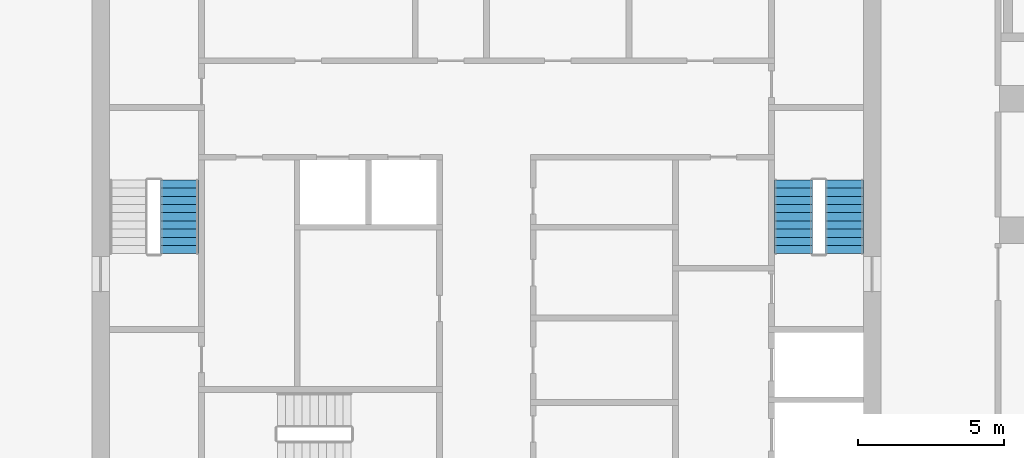
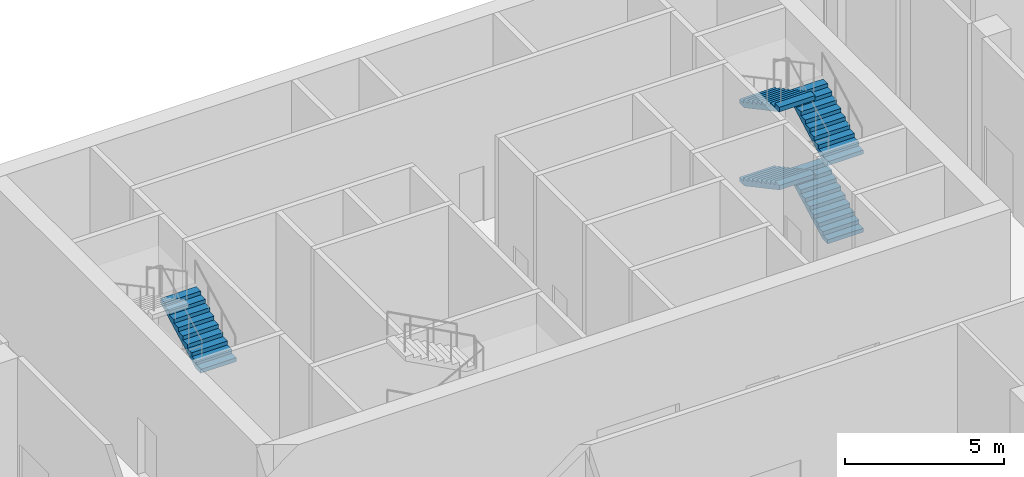
# One storey, part 10 of 13: 5 stair flights, 2 elements without a shape of their own.
"""IFC4 building model written with IfcOpenShell, lengths in metres."""

from ifc_helpers import new_model, si_unit, direction, frame, origin, place, context, subcontext, project, spatial, polyline, outline, extrude, material, type_object, element, aggregate, save


model = new_model("IFC4")

# Units and contexts
model_context = context("Model", 3, precision=1e-05, world=origin(), true_north=direction((0.0, 1.0)))
body_context = subcontext(model_context, "Body", "Model", "MODEL_VIEW")
ifc_project = project(units=[si_unit("LENGTHUNIT", "METRE"), si_unit("AREAUNIT", "SQUARE_METRE"), si_unit("VOLUMEUNIT", "CUBIC_METRE"), si_unit("PLANEANGLEUNIT", "RADIAN"), si_unit("MASSUNIT", "GRAM", prefix="KILO")], contexts=[model_context])

# Site, building, storey
site_placement = place(None, origin())
site = spatial("IfcSite", under=ifc_project, at=site_placement, CompositionType="ELEMENT")
building_placement = place(site_placement, origin())
building = spatial("IfcBuilding", under=site, at=building_placement, Name="Orbiselva Terraces", CompositionType="ELEMENT")
storey_placement = place(building_placement, frame((0.0, 0.0, 297.4)))
storey = spatial("IfcBuildingStorey", under=building, at=storey_placement, Name="L74", CompositionType="ELEMENT", Elevation=297.4)

# Stair, stair flight
ifc_material = material(Name="Concrete C40/50", Category="concrete")
stair_type = type_object("IfcStairType", Name="CORE-STAIR-1300", PredefinedType="HALF_TURN_STAIR", material=ifc_material)
stair_1_placement = place(storey_placement, origin())
stair_1 = element("IfcStair", 1, at=stair_1_placement, inside=storey, type_object=stair_type, Name="L74 Exit Stair S1", PredefinedType="HALF_TURN_STAIR")
stair_flight_type = type_object("IfcStairFlightType", Name="CORE-STAIR-FLIGHT-1300", PredefinedType="STRAIGHT", material=ifc_material)
stair_flight_1_placement = place(storey_placement, frame((-10.5, 12.7, 3.0), z_axis=(0.0, 0.0, 1.0), x_axis=(0.0, 1.0, 0.0)))
stair_flight_1 = element("IfcStairFlight", 2, at=stair_flight_1_placement, type_object=stair_flight_type, Name="S1 flight 3", NumberOfRisers=10, NumberOfTreads=9, PredefinedType="STRAIGHT", RiserHeight=0.15, TreadLength=0.28, context=body_context, shape_type="SweptSolid", body=[
    extrude(outline(polyline([(0.0, 0.0), (0.0, 0.15), (0.28, 0.15), (0.28, 0.3), (0.56, 0.3), (0.56, 0.45), (0.84, 0.45), (0.84, 0.6), (1.12, 0.6), (1.12, 0.75), (1.4, 0.75), (1.4, 0.9), (1.68, 0.9), (1.68, 1.05), (1.96, 1.05), (1.96, 1.2), (2.24, 1.2), (2.24, 1.35), (2.52, 1.35), (2.52, 1.5), (2.52, 1.179832), (0.317648, 0.0), (0.0, 0.0)])), frame((0.0, 0.65, 0.0), z_axis=(0.0, -1.0, 0.0), x_axis=(1.0, 0.0, 0.0)), (0.0, 0.0, 1.0), 1.3),
])
aggregate(stair_1, [stair_flight_1])

# Stair, stair flights
stair_2_placement = place(storey_placement, origin())
stair_2 = element("IfcStair", 3, at=stair_2_placement, inside=storey, type_object=stair_type, Name="L74 Exit Stair S2", PredefinedType="HALF_TURN_STAIR")
stair_flight_2_placement = place(storey_placement, frame((12.25, 12.7, 0.0), z_axis=(0.0, 0.0, 1.0), x_axis=(0.0, 1.0, 0.0)))
stair_flight_2 = element("IfcStairFlight", 4, at=stair_flight_2_placement, type_object=stair_flight_type, Name="S2 flight 1", NumberOfRisers=10, NumberOfTreads=9, PredefinedType="STRAIGHT", RiserHeight=0.15, TreadLength=0.28, context=body_context, shape_type="SweptSolid", body=[
    extrude(outline(polyline([(0.0, 0.0), (0.0, 0.15), (0.28, 0.15), (0.28, 0.3), (0.56, 0.3), (0.56, 0.45), (0.84, 0.45), (0.84, 0.6), (1.12, 0.6), (1.12, 0.75), (1.4, 0.75), (1.4, 0.9), (1.68, 0.9), (1.68, 1.05), (1.96, 1.05), (1.96, 1.2), (2.24, 1.2), (2.24, 1.35), (2.52, 1.35), (2.52, 1.5), (2.52, 1.179832), (0.317648, 0.0), (0.0, 0.0)])), frame((0.0, 0.65, 0.0), z_axis=(0.0, -1.0, 0.0), x_axis=(1.0, 0.0, 0.0)), (0.0, 0.0, 1.0), 1.3),
])
stair_flight_3_placement = place(storey_placement, frame((10.5, 15.22, 1.5), z_axis=(0.0, 0.0, 1.0), x_axis=(0.0, -1.0, 0.0)))
stair_flight_3 = element("IfcStairFlight", 5, at=stair_flight_3_placement, type_object=stair_flight_type, Name="S2 flight 2", NumberOfRisers=10, NumberOfTreads=9, PredefinedType="STRAIGHT", RiserHeight=0.15, TreadLength=0.28, context=body_context, shape_type="SweptSolid", body=[
    extrude(outline(polyline([(0.0, 0.0), (0.0, 0.15), (0.28, 0.15), (0.28, 0.3), (0.56, 0.3), (0.56, 0.45), (0.84, 0.45), (0.84, 0.6), (1.12, 0.6), (1.12, 0.75), (1.4, 0.75), (1.4, 0.9), (1.68, 0.9), (1.68, 1.05), (1.96, 1.05), (1.96, 1.2), (2.24, 1.2), (2.24, 1.35), (2.52, 1.35), (2.52, 1.5), (2.52, 1.179832), (0.317648, 0.0), (0.0, 0.0)])), frame((0.0, 0.65, 0.0), z_axis=(0.0, -1.0, 0.0), x_axis=(1.0, 0.0, 0.0)), (0.0, 0.0, 1.0), 1.3),
])
stair_flight_4_placement = place(storey_placement, frame((12.25, 12.7, 3.0), z_axis=(0.0, 0.0, 1.0), x_axis=(0.0, 1.0, 0.0)))
stair_flight_4 = element("IfcStairFlight", 6, at=stair_flight_4_placement, type_object=stair_flight_type, Name="S2 flight 3", NumberOfRisers=10, NumberOfTreads=9, PredefinedType="STRAIGHT", RiserHeight=0.15, TreadLength=0.28, context=body_context, shape_type="SweptSolid", body=[
    extrude(outline(polyline([(0.0, 0.0), (0.0, 0.15), (0.28, 0.15), (0.28, 0.3), (0.56, 0.3), (0.56, 0.45), (0.84, 0.45), (0.84, 0.6), (1.12, 0.6), (1.12, 0.75), (1.4, 0.75), (1.4, 0.9), (1.68, 0.9), (1.68, 1.05), (1.96, 1.05), (1.96, 1.2), (2.24, 1.2), (2.24, 1.35), (2.52, 1.35), (2.52, 1.5), (2.52, 1.179832), (0.317648, 0.0), (0.0, 0.0)])), frame((0.0, 0.65, 0.0), z_axis=(0.0, -1.0, 0.0), x_axis=(1.0, 0.0, 0.0)), (0.0, 0.0, 1.0), 1.3),
])
stair_flight_5_placement = place(storey_placement, frame((10.5, 15.22, 4.5), z_axis=(0.0, 0.0, 1.0), x_axis=(0.0, -1.0, 0.0)))
stair_flight_5 = element("IfcStairFlight", 7, at=stair_flight_5_placement, type_object=stair_flight_type, Name="S2 flight 4", NumberOfRisers=10, NumberOfTreads=9, PredefinedType="STRAIGHT", RiserHeight=0.15, TreadLength=0.28, context=body_context, shape_type="SweptSolid", body=[
    extrude(outline(polyline([(0.0, 0.0), (0.0, 0.15), (0.28, 0.15), (0.28, 0.3), (0.56, 0.3), (0.56, 0.45), (0.84, 0.45), (0.84, 0.6), (1.12, 0.6), (1.12, 0.75), (1.4, 0.75), (1.4, 0.9), (1.68, 0.9), (1.68, 1.05), (1.96, 1.05), (1.96, 1.2), (2.24, 1.2), (2.24, 1.35), (2.52, 1.35), (2.52, 1.5), (2.52, 1.179832), (0.317648, 0.0), (0.0, 0.0)])), frame((0.0, 0.65, 0.0), z_axis=(0.0, -1.0, 0.0), x_axis=(1.0, 0.0, 0.0)), (0.0, 0.0, 1.0), 1.3),
])
aggregate(stair_2, [stair_flight_2, stair_flight_3, stair_flight_4, stair_flight_5])

save(model, "model.ifc")
